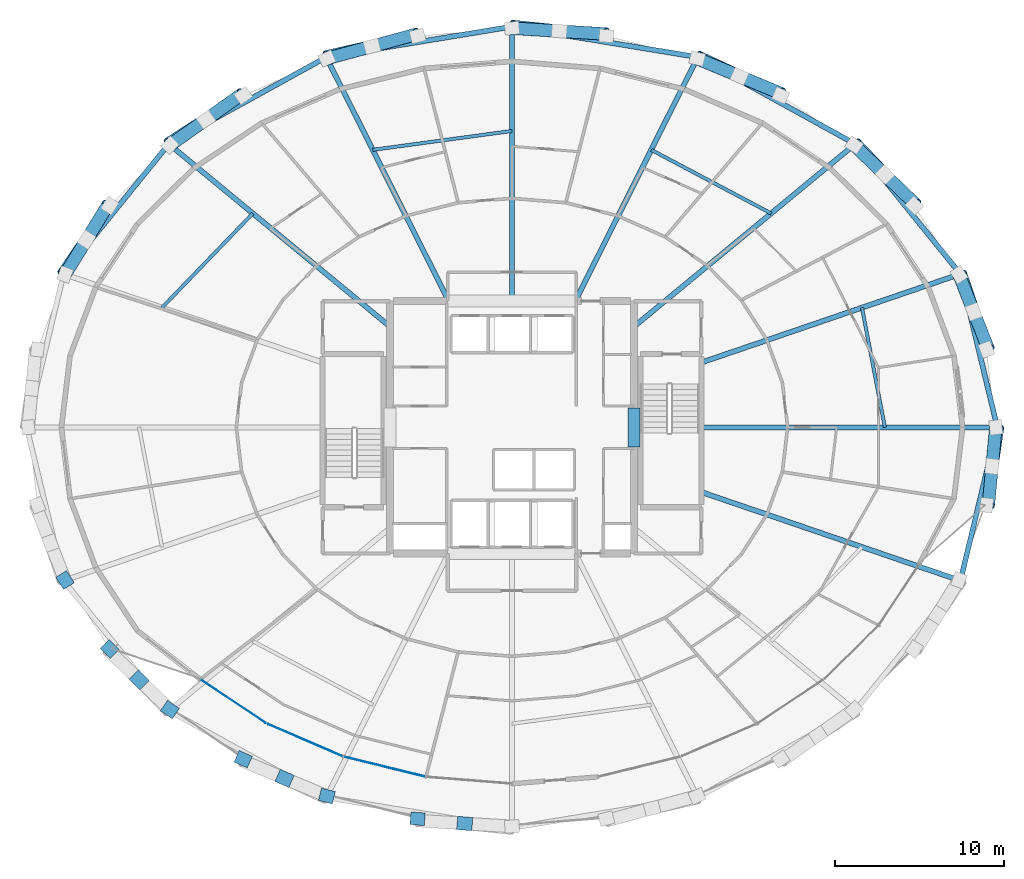
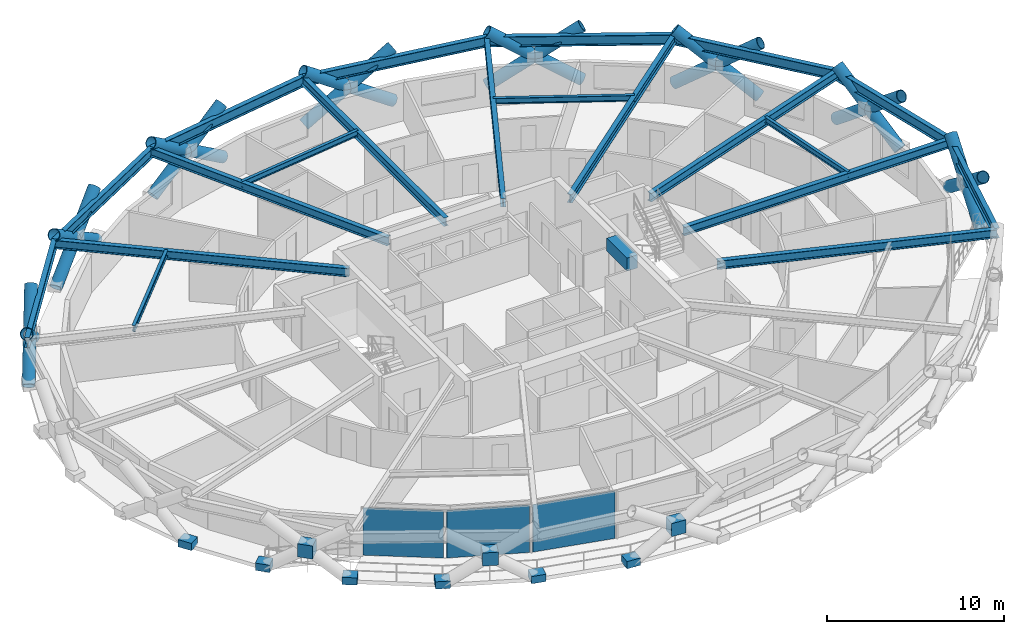
# One storey, part 9 of 17: 24 members, 21 beams, 12 plates, 1 element without a shape of its own.
"""IFC4 building model written with IfcOpenShell, lengths in metres."""

from ifc_helpers import new_model, si_unit, direction, frame, origin, origin_2d, place, context, subcontext, project, spatial, rectangle, hollow_circle, i_section, extrude, material, layer, layer_set, material_profile, profile_set, type_object, element, aggregate, save


model = new_model("IFC4")

# Units and contexts
model_context = context("Model", 3, precision=1e-05, world=origin(), true_north=direction((0.0, 1.0)))
body_context = subcontext(model_context, "Body", "Model", "MODEL_VIEW")
ifc_project = project(units=[si_unit("LENGTHUNIT", "METRE"), si_unit("AREAUNIT", "SQUARE_METRE"), si_unit("VOLUMEUNIT", "CUBIC_METRE"), si_unit("PLANEANGLEUNIT", "RADIAN"), si_unit("MASSUNIT", "GRAM", prefix="KILO")], contexts=[model_context])

# Site, building, storey
site_placement = place(None, origin())
site = spatial("IfcSite", under=ifc_project, at=site_placement, CompositionType="ELEMENT")
building_placement = place(site_placement, origin())
building = spatial("IfcBuilding", under=site, at=building_placement, Name="Veldorina Hangang Commons", CompositionType="ELEMENT")
storey_placement = place(building_placement, frame((0.0, 0.0, 55.60009765625)))
storey = spatial("IfcBuildingStorey", under=building, at=storey_placement, Name="L13", CompositionType="ELEMENT", Elevation=55.60009765625)

# Beams
ifc_material_1 = material(Name="Concrete C70/85", Category="concrete")
ifc_material_profile_1 = material_profile(ifc_material_1, rectangle(XDim=0.699951171875, YDim=0.89990234375, at=origin_2d()), Name="RC-CB-700x900")
ifc_profile_set_1 = profile_set([ifc_material_profile_1], Name="Concrete C70/85")
beam_type_1 = type_object("IfcBeamType", Name="BM-CB900", PredefinedType="LINTEL", material=ifc_profile_set_1)
beam_1_placement = place(storey_placement, frame((39.199951171875, 22.85009765625, 2.889892578125), z_axis=(0.0, 1.0, 0.0), x_axis=(-1.0, 0.0, 0.0)))
element("IfcBeam", 1, at=beam_1_placement, inside=storey, type_object=beam_type_1, Name="L13 E core coupling lintel beam", PredefinedType="LINTEL", context=body_context, shape_type="SweptSolid", body=[
    extrude(rectangle(XDim=0.699951171875, YDim=0.89990234375, at=origin_2d()), origin(), (0.0, 0.0, 1.0), 2.2998046875),
])
ifc_material_2 = material(Name="Steel SM460-TMC", Category="steel")
ifc_material_profile_2 = material_profile(ifc_material_2, i_section(OverallWidth=0.300048828125, OverallDepth=0.587890625, WebThickness=0.011962890625, FlangeThickness=0.02001953125, FilletRadius=0.01806640625, at=origin_2d()), Name="H-588x300x12x20")
ifc_profile_set_2 = profile_set([ifc_material_profile_2], Name="Steel SM460-TMC")
beam_type_2 = type_object("IfcBeamType", Name="BM-FG588", PredefinedType="BEAM", material=ifc_profile_set_2)
beam_2_placement = place(storey_placement, frame((43.179931640625, 24.0, 3.0458984375), z_axis=(1.0, 0.0, 0.0), x_axis=(0.0, 1.0, 0.0)))
element("IfcBeam", 2, at=beam_2_placement, inside=storey, type_object=beam_type_2, Name="L13 radial floor girder 01", PredefinedType="BEAM", context=body_context, shape_type="SweptSolid", body=[
    extrude(i_section(OverallWidth=0.300048828125, OverallDepth=0.587890625, WebThickness=0.011962890625, FlangeThickness=0.02001953125, FilletRadius=0.01806640625, at=origin_2d()), origin(), (0.0, 0.0, 1.0), 17.473876953125),
])
beam_3_placement = place(storey_placement, frame((43.179931640625, 27.82275390625, 3.0458984375), z_axis=(0.946210846962, 0.323550665417, 0.0), x_axis=(-0.323550665417, 0.946210846962, 0.0)))
element("IfcBeam", 3, at=beam_3_placement, inside=storey, type_object=beam_type_2, Name="L13 radial floor girder 02", PredefinedType="BEAM", context=body_context, shape_type="SweptSolid", body=[
    extrude(i_section(OverallWidth=0.300048828125, OverallDepth=0.587890625, WebThickness=0.011962890625, FlangeThickness=0.02001953125, FilletRadius=0.01806640625, at=origin_2d()), origin(), (0.0, 0.0, 1.0), 16.162109375),
])
beam_4_placement = place(storey_placement, frame((39.199951171875, 29.943603515625, 3.0458984375), z_axis=(0.771186965795, 0.636608721105, 0.0), x_axis=(-0.636608721105, 0.771186965795, 0.0)))
element("IfcBeam", 4, at=beam_4_placement, inside=storey, type_object=beam_type_2, Name="L13 radial floor girder 03", PredefinedType="BEAM", context=body_context, shape_type="SweptSolid", body=[
    extrude(i_section(OverallWidth=0.300048828125, OverallDepth=0.587890625, WebThickness=0.011962890625, FlangeThickness=0.02001953125, FilletRadius=0.01806640625, at=origin_2d()), origin(), (0.0, 0.0, 1.0), 16.9365234375),
])
beam_5_placement = place(storey_placement, frame((35.73828125, 31.449951171875, 3.0458984375), z_axis=(0.448473640797, 0.89379605812, 0.0), x_axis=(-0.89379605812, 0.448473640797, 0.0)))
element("IfcBeam", 5, at=beam_5_placement, inside=storey, type_object=beam_type_2, Name="L13 radial floor girder 04", PredefinedType="BEAM", context=body_context, shape_type="SweptSolid", body=[
    extrude(i_section(OverallWidth=0.300048828125, OverallDepth=0.587890625, WebThickness=0.011962890625, FlangeThickness=0.02001953125, FilletRadius=0.01806640625, at=origin_2d()), origin(), (0.0, 0.0, 1.0), 16.11474609375),
])
beam_6_placement = place(storey_placement, frame((32.0, 31.449951171875, 3.0458984375), z_axis=(0.0, 1.0, 0.0), x_axis=(-1.0, 0.0, 0.0)))
element("IfcBeam", 6, at=beam_6_placement, inside=storey, type_object=beam_type_2, Name="L13 radial floor girder 05", PredefinedType="BEAM", context=body_context, shape_type="SweptSolid", body=[
    extrude(i_section(OverallWidth=0.300048828125, OverallDepth=0.587890625, WebThickness=0.011962890625, FlangeThickness=0.02001953125, FilletRadius=0.01806640625, at=origin_2d()), origin(), (0.0, 0.0, 1.0), 16.203857421875),
])
beam_7_placement = place(storey_placement, frame((28.26171875, 31.449951171875, 3.0458984375), z_axis=(-0.448473640797, 0.89379605812, 0.0), x_axis=(-0.89379605812, -0.448473640797, 0.0)))
element("IfcBeam", 7, at=beam_7_placement, inside=storey, type_object=beam_type_2, Name="L13 radial floor girder 06", PredefinedType="BEAM", context=body_context, shape_type="SweptSolid", body=[
    extrude(i_section(OverallWidth=0.300048828125, OverallDepth=0.587890625, WebThickness=0.011962890625, FlangeThickness=0.02001953125, FilletRadius=0.01806640625, at=origin_2d()), origin(), (0.0, 0.0, 1.0), 16.11474609375),
])
beam_8_placement = place(storey_placement, frame((24.800048828125, 29.943603515625, 3.0458984375), z_axis=(-0.771186965795, 0.636608721105, 0.0), x_axis=(-0.636608721105, -0.771186965795, 0.0)))
element("IfcBeam", 8, at=beam_8_placement, inside=storey, type_object=beam_type_2, Name="L13 radial floor girder 07", PredefinedType="BEAM", context=body_context, shape_type="SweptSolid", body=[
    extrude(i_section(OverallWidth=0.300048828125, OverallDepth=0.587890625, WebThickness=0.011962890625, FlangeThickness=0.02001953125, FilletRadius=0.01806640625, at=origin_2d()), origin(), (0.0, 0.0, 1.0), 16.9365234375),
])
beam_9_placement = place(storey_placement, frame((43.179931640625, 20.17724609375, 3.0458984375), z_axis=(0.946210846962, -0.323550665417, 0.0), x_axis=(0.323550665417, 0.946210846962, 0.0)))
element("IfcBeam", 9, at=beam_9_placement, inside=storey, type_object=beam_type_2, Name="L13 radial floor girder 16", PredefinedType="BEAM", context=body_context, shape_type="SweptSolid", body=[
    extrude(i_section(OverallWidth=0.300048828125, OverallDepth=0.587890625, WebThickness=0.011962890625, FlangeThickness=0.02001953125, FilletRadius=0.01806640625, at=origin_2d()), origin(), (0.0, 0.0, 1.0), 16.162109375),
])
ifc_material_3 = material(Name="Steel SM355-TMC", Category="steel")
ifc_material_profile_3 = material_profile(ifc_material_3, i_section(OverallWidth=0.199951171875, OverallDepth=0.39990234375, WebThickness=0.008056640625, FlangeThickness=0.012939453125, FilletRadius=0.012939453125, at=origin_2d()), Name="H-400x200x8x13")
ifc_profile_set_3 = profile_set([ifc_material_profile_3], Name="Steel SM355-TMC")
beam_type_3 = type_object("IfcBeamType", Name="BM-JST400", PredefinedType="JOIST", material=ifc_profile_set_3)
beam_10_placement = place(storey_placement, frame((54.013671875, 24.0, 3.139892578125), z_axis=(-0.188002608484, 0.982168528921, 0.0), x_axis=(-0.982168528921, -0.188002608484, 0.0)))
element("IfcBeam", 10, at=beam_10_placement, inside=storey, type_object=beam_type_3, Name="L13 secondary floor joist 01", PredefinedType="JOIST", context=body_context, shape_type="SweptSolid", body=[
    extrude(i_section(OverallWidth=0.199951171875, OverallDepth=0.39990234375, WebThickness=0.008056640625, FlangeThickness=0.012939453125, FilletRadius=0.012939453125, at=origin_2d()), origin(), (0.0, 0.0, 1.0), 7.19287109375),
])
beam_11_placement = place(storey_placement, frame((47.298095703125, 36.62841796875, 3.139892578125), z_axis=(-0.883596603536, 0.468248910537, 0.0), x_axis=(-0.468248910537, -0.883596603536, 0.0)))
element("IfcBeam", 11, at=beam_11_placement, inside=storey, type_object=beam_type_3, Name="L13 secondary floor joist 03", PredefinedType="JOIST", context=body_context, shape_type="SweptSolid", body=[
    extrude(i_section(OverallWidth=0.199951171875, OverallDepth=0.39990234375, WebThickness=0.008056640625, FlangeThickness=0.012939453125, FilletRadius=0.012939453125, at=origin_2d()), origin(), (0.0, 0.0, 1.0), 8.01171875),
])
beam_12_placement = place(storey_placement, frame((32.0, 41.496337890625, 3.139892578125), z_axis=(-0.990899710988, -0.134602239072, 0.0), x_axis=(0.134602239072, -0.990899710988, 0.0)))
element("IfcBeam", 12, at=beam_12_placement, inside=storey, type_object=beam_type_3, Name="L13 secondary floor joist 05", PredefinedType="JOIST", context=body_context, shape_type="SweptSolid", body=[
    extrude(i_section(OverallWidth=0.199951171875, OverallDepth=0.39990234375, WebThickness=0.008056640625, FlangeThickness=0.012939453125, FilletRadius=0.012939453125, at=origin_2d()), origin(), (0.0, 0.0, 1.0), 8.29443359375),
])
beam_13_placement = place(storey_placement, frame((16.701904296875, 36.62841796875, 3.139892578125), z_axis=(-0.694019215063, -0.719956477243, 0.0), x_axis=(0.719956477243, -0.694019215063, 0.0)))
element("IfcBeam", 13, at=beam_13_placement, inside=storey, type_object=beam_type_3, Name="L13 secondary floor joist 07", PredefinedType="JOIST", context=body_context, shape_type="SweptSolid", body=[
    extrude(i_section(OverallWidth=0.199951171875, OverallDepth=0.39990234375, WebThickness=0.008056640625, FlangeThickness=0.012939453125, FilletRadius=0.012939453125, at=origin_2d()), origin(), (0.0, 0.0, 1.0), 7.727783203125),
])
ifc_material_profile_4 = material_profile(ifc_material_2, i_section(OverallWidth=0.300048828125, OverallDepth=0.699951171875, WebThickness=0.012939453125, FlangeThickness=0.02392578125, FilletRadius=0.02197265625, at=origin_2d()), Name="H-700x300x13x24")
ifc_profile_set_4 = profile_set([ifc_material_profile_4], Name="Steel SM460-TMC")
beam_type_4 = type_object("IfcBeamType", Name="BM-RB700", PredefinedType="BEAM", material=ifc_profile_set_4)
beam_14_placement = place(storey_placement, frame((60.65380859375, 24.0, 2.989990234375), z_axis=(-0.234253483016, 0.97217555292, 0.0), x_axis=(-0.97217555292, -0.234253483016, 0.0)))
element("IfcBeam", 14, at=beam_14_placement, inside=storey, type_object=beam_type_4, Name="L13 perimeter hoop ring beam 00", PredefinedType="BEAM", context=body_context, shape_type="SweptSolid", body=[
    extrude(i_section(OverallWidth=0.300048828125, OverallDepth=0.699951171875, WebThickness=0.012939453125, FlangeThickness=0.02392578125, FilletRadius=0.02197265625, at=origin_2d()), origin(), (0.0, 0.0, 1.0), 9.31103515625),
])
beam_15_placement = place(storey_placement, frame((58.47265625, 33.052001953125, 2.989990234375), z_axis=(-0.629166215376, 0.777270785138, 0.0), x_axis=(-0.777270785138, -0.629166215376, 0.0)))
element("IfcBeam", 15, at=beam_15_placement, inside=storey, type_object=beam_type_4, Name="L13 perimeter hoop ring beam 02", PredefinedType="BEAM", context=body_context, shape_type="SweptSolid", body=[
    extrude(i_section(OverallWidth=0.300048828125, OverallDepth=0.699951171875, WebThickness=0.012939453125, FlangeThickness=0.02392578125, FilletRadius=0.02197265625, at=origin_2d()), origin(), (0.0, 0.0, 1.0), 9.87255859375),
])
beam_16_placement = place(storey_placement, frame((52.26123046875, 40.7255859375, 2.989990234375), z_axis=(-0.875620948621, 0.482998917531, 0.0), x_axis=(-0.482998917531, -0.875620948621, 0.0)))
element("IfcBeam", 16, at=beam_16_placement, inside=storey, type_object=beam_type_4, Name="L13 perimeter hoop ring beam 04", PredefinedType="BEAM", context=body_context, shape_type="SweptSolid", body=[
    extrude(i_section(OverallWidth=0.300048828125, OverallDepth=0.699951171875, WebThickness=0.012939453125, FlangeThickness=0.02392578125, FilletRadius=0.02197265625, at=origin_2d()), origin(), (0.0, 0.0, 1.0), 10.616455078125),
])
for number, where, z_axis, x_axis, name in (
    (17, (42.96533203125, 45.853271484375, 2.989990234375), (-0.986785369313, 0.162032820472, 0.0), (-0.162032820472, -0.986785369313, 0.0), "L13 perimeter hoop ring beam 06"),
    (18, (32.0, 47.65380859375, 2.989990234375), (-0.986785369313, -0.162032820472, 0.0), (0.162032820472, -0.986785369313, 0.0), "L13 perimeter hoop ring beam 08"),
):
    element("IfcBeam", number, at=place(storey_placement, frame(where, z_axis=z_axis, x_axis=x_axis)), inside=storey, type_object=beam_type_4, Name=name, PredefinedType="BEAM", context=body_context, shape_type="SweptSolid", body=[
        extrude(i_section(OverallWidth=0.300048828125, OverallDepth=0.699951171875, WebThickness=0.012939453125, FlangeThickness=0.02392578125, FilletRadius=0.02197265625, at=origin_2d()), origin(), (0.0, 0.0, 1.0), 11.112060546875),
    ])
beam_17_placement = place(storey_placement, frame((21.03466796875, 45.853271484375, 2.989990234375), z_axis=(-0.875620948621, -0.482998917531, 0.0), x_axis=(0.482998917531, -0.875620948621, 0.0)))
element("IfcBeam", 19, at=beam_17_placement, inside=storey, type_object=beam_type_4, Name="L13 perimeter hoop ring beam 10", PredefinedType="BEAM", context=body_context, shape_type="SweptSolid", body=[
    extrude(i_section(OverallWidth=0.300048828125, OverallDepth=0.699951171875, WebThickness=0.012939453125, FlangeThickness=0.02392578125, FilletRadius=0.02197265625, at=origin_2d()), origin(), (0.0, 0.0, 1.0), 10.616455078125),
])
beam_18_placement = place(storey_placement, frame((11.73876953125, 40.7255859375, 2.989990234375), z_axis=(-0.629166215376, -0.777270785138, 0.0), x_axis=(0.777270785138, -0.629166215376, 0.0)))
element("IfcBeam", 20, at=beam_18_placement, inside=storey, type_object=beam_type_4, Name="L13 perimeter hoop ring beam 12", PredefinedType="BEAM", context=body_context, shape_type="SweptSolid", body=[
    extrude(i_section(OverallWidth=0.300048828125, OverallDepth=0.699951171875, WebThickness=0.012939453125, FlangeThickness=0.02392578125, FilletRadius=0.02197265625, at=origin_2d()), origin(), (0.0, 0.0, 1.0), 9.87255859375),
])
beam_19_placement = place(storey_placement, frame((58.47265625, 14.947998046875, 2.989990234375), z_axis=(0.234253483016, 0.97217555292, 0.0), x_axis=(-0.97217555292, 0.234253483016, 0.0)))
element("IfcBeam", 21, at=beam_19_placement, inside=storey, type_object=beam_type_4, Name="L13 perimeter hoop ring beam 30", PredefinedType="BEAM", context=body_context, shape_type="SweptSolid", body=[
    extrude(i_section(OverallWidth=0.300048828125, OverallDepth=0.699951171875, WebThickness=0.012939453125, FlangeThickness=0.02392578125, FilletRadius=0.02197265625, at=origin_2d()), origin(), (0.0, 0.0, 1.0), 9.31103515625),
])

# Members
ifc_material_profile_5 = material_profile(ifc_material_2, hollow_circle(Radius=0.375, WallThickness=0.035888671875, at=origin_2d()), Name="CHS-750x36")
ifc_profile_set_5 = profile_set([ifc_material_profile_5], Name="Steel SM460-TMC")
member_type = type_object("IfcMemberType", Name="DG-CHS750", PredefinedType="BRACE", material=ifc_profile_set_5)
member_1_placement = place(storey_placement, frame((60.011962890625, 28.596435546875, 0.0), z_axis=(-0.256562844861, 0.75227979487, 0.606836565203), x_axis=(-0.946470286353, -0.322790949457, 0.0)))
element("IfcMember", 22, at=member_1_placement, inside=storey, type_object=member_type, Name="L13 continuous perimeter diagrid brace 01", PredefinedType="BRACE", context=body_context, shape_type="SweptSolid", body=[
    extrude(hollow_circle(Radius=0.375, WallThickness=0.035888671875, at=origin_2d()), origin(), (0.0, 0.0, 1.0), 5.93212890625),
])
member_2_placement = place(storey_placement, frame((58.38671875, 33.016357421875, 0.0), z_axis=(0.292129211773, -0.740082632364, 0.605754257849), x_axis=(0.930158942506, 0.36715710762, 0.0)))
element("IfcMember", 23, at=member_2_placement, inside=storey, type_object=member_type, Name="L13 split perimeter diagrid lower brace 02", PredefinedType="BRACE", context=body_context, shape_type="SweptSolid", body=[
    extrude(hollow_circle(Radius=0.375, WallThickness=0.035888671875, at=origin_2d()), origin(), (0.0, 0.0, 1.0), 2.96435546875),
])
member_3_placement = place(storey_placement, frame((59.252685546875, 30.822509765625, 1.795654296875), z_axis=(0.291851829271, -0.740123122094, 0.605838488289), x_axis=(0.930284817763, 0.366838053969, 0.0)))
element("IfcMember", 24, at=member_3_placement, inside=storey, type_object=member_type, Name="L13 split perimeter diagrid upper brace 02", PredefinedType="BRACE", context=body_context, shape_type="SweptSolid", body=[
    extrude(hollow_circle(Radius=0.375, WallThickness=0.035888671875, at=origin_2d()), origin(), (0.0, 0.0, 1.0), 2.97802734375),
])
member_4_placement = place(storey_placement, frame((55.747314453125, 37.089599609375, 0.0), z_axis=(-0.560861346159, 0.58940912559, 0.581404706771), x_axis=(-0.724432910302, -0.689345311489, 0.0)))
element("IfcMember", 25, at=member_4_placement, inside=storey, type_object=member_type, Name="L13 continuous perimeter diagrid brace 03", PredefinedType="BRACE", context=body_context, shape_type="SweptSolid", body=[
    extrude(hollow_circle(Radius=0.375, WallThickness=0.035888671875, at=origin_2d()), origin(), (0.0, 0.0, 1.0), 6.191650390625),
])
member_5_placement = place(storey_placement, frame((52.195556640625, 40.659912109375, 0.0), z_axis=(0.587309731401, -0.564769395494, 0.579743744524), x_axis=(0.693139644193, 0.72080332522, 0.0)))
element("IfcMember", 26, at=member_5_placement, inside=storey, type_object=member_type, Name="L13 split perimeter diagrid lower brace 04", PredefinedType="BRACE", context=body_context, shape_type="SweptSolid", body=[
    extrude(hollow_circle(Radius=0.375, WallThickness=0.035888671875, at=origin_2d()), origin(), (0.0, 0.0, 1.0), 3.09765625),
])
member_6_placement = place(storey_placement, frame((54.014892578125, 38.910400390625, 1.7958984375), z_axis=(0.586801334087, -0.565221985749, 0.579817472261), x_axis=(0.693739775548, 0.720225745043, 0.0)))
element("IfcMember", 27, at=member_6_placement, inside=storey, type_object=member_type, Name="L13 split perimeter diagrid upper brace 04", PredefinedType="BRACE", context=body_context, shape_type="SweptSolid", body=[
    extrude(hollow_circle(Radius=0.375, WallThickness=0.035888671875, at=origin_2d()), origin(), (0.0, 0.0, 1.0), 3.111328125),
])
member_7_placement = place(storey_placement, frame((47.867431640625, 43.590087890625, 0.0), z_axis=(-0.754216719352, 0.351395998577, 0.554687292476), x_axis=(-0.422321064018, -0.906446313295, 0.0)))
element("IfcMember", 28, at=member_7_placement, inside=storey, type_object=member_type, Name="L13 continuous perimeter diagrid brace 05", PredefinedType="BRACE", context=body_context, shape_type="SweptSolid", body=[
    extrude(hollow_circle(Radius=0.375, WallThickness=0.035888671875, at=origin_2d()), origin(), (0.0, 0.0, 1.0), 6.489990234375),
])
member_8_placement = place(storey_placement, frame((42.9296875, 45.76708984375, 0.0), z_axis=(0.768860260775, -0.320151577131, 0.553495137343), x_axis=(0.38440373611, 0.92316508148, 0.0)))
element("IfcMember", 29, at=member_8_placement, inside=storey, type_object=member_type, Name="L13 split perimeter diagrid lower brace 06", PredefinedType="BRACE", context=body_context, shape_type="SweptSolid", body=[
    extrude(hollow_circle(Radius=0.375, WallThickness=0.035888671875, at=origin_2d()), origin(), (0.0, 0.0, 1.0), 3.24560546875),
])
member_9_placement = place(storey_placement, frame((45.425048828125, 44.72802734375, 1.79638671875), z_axis=(0.768656907012, -0.320679555708, 0.553471934116), x_axis=(0.385030547592, 0.922903828912, 0.0)))
element("IfcMember", 30, at=member_9_placement, inside=storey, type_object=member_type, Name="L13 split perimeter diagrid upper brace 06", PredefinedType="BRACE", context=body_context, shape_type="SweptSolid", body=[
    extrude(hollow_circle(Radius=0.375, WallThickness=0.035888671875, at=origin_2d()), origin(), (0.0, 0.0, 1.0), 3.258544921875),
])
member_10_placement = place(storey_placement, frame((37.572021484375, 47.10791015625, 0.0), z_axis=(-0.836926225296, 0.084818400697, 0.540703553082), x_axis=(-0.100828659736, -0.994903805087, 0.0)))
element("IfcMember", 31, at=member_10_placement, inside=storey, type_object=member_type, Name="L13 continuous perimeter diagrid brace 07", PredefinedType="BRACE", context=body_context, shape_type="SweptSolid", body=[
    extrude(hollow_circle(Radius=0.375, WallThickness=0.035888671875, at=origin_2d()), origin(), (0.0, 0.0, 1.0), 6.65771484375),
])
member_11_placement = place(storey_placement, frame((32.0, 47.560791015625, 0.0), z_axis=(0.839812896424, -0.0514141182, 0.54043583102), x_axis=(0.061106513523, 0.998131250891, 0.0)))
element("IfcMember", 32, at=member_11_placement, inside=storey, type_object=member_type, Name="L13 split perimeter diagrid lower brace 08", PredefinedType="BRACE", context=body_context, shape_type="SweptSolid", body=[
    extrude(hollow_circle(Radius=0.375, WallThickness=0.035888671875, at=origin_2d()), origin(), (0.0, 0.0, 1.0), 3.323974609375),
])
member_12_placement = place(storey_placement, frame((34.79150390625, 47.389892578125, 1.79638671875), z_axis=(0.839782846496, -0.051581016447, 0.540466621978), x_axis=(0.061306315918, 0.998118998731, 0.0)))
element("IfcMember", 33, at=member_12_placement, inside=storey, type_object=member_type, Name="L13 split perimeter diagrid upper brace 08", PredefinedType="BRACE", context=body_context, shape_type="SweptSolid", body=[
    extrude(hollow_circle(Radius=0.375, WallThickness=0.035888671875, at=origin_2d()), origin(), (0.0, 0.0, 1.0), 3.3369140625),
])
member_13_placement = place(storey_placement, frame((26.427978515625, 47.10791015625, 0.0), z_axis=(-0.817371020117, -0.187262616064, 0.544827796737), x_axis=(0.22331771853, -0.97474570868, 0.0)))
element("IfcMember", 34, at=member_13_placement, inside=storey, type_object=member_type, Name="L13 continuous perimeter diagrid brace 09", PredefinedType="BRACE", context=body_context, shape_type="SweptSolid", body=[
    extrude(hollow_circle(Radius=0.375, WallThickness=0.035888671875, at=origin_2d()), origin(), (0.0, 0.0, 1.0), 6.607421875),
])
member_14_placement = place(storey_placement, frame((21.0703125, 45.76708984375, 0.0), z_axis=(0.808742442437, 0.219703296685, 0.545587869391), x_axis=(-0.262158996013, 0.965024694404, 0.0)))
element("IfcMember", 35, at=member_14_placement, inside=storey, type_object=member_type, Name="L13 split perimeter diagrid lower brace 10", PredefinedType="BRACE", context=body_context, shape_type="SweptSolid", body=[
    extrude(hollow_circle(Radius=0.375, WallThickness=0.035888671875, at=origin_2d()), origin(), (0.0, 0.0, 1.0), 3.29248046875),
])
member_15_placement = place(storey_placement, frame((23.733154296875, 46.490478515625, 1.79638671875), z_axis=(0.808660447522, 0.220020045042, 0.545581763252), x_axis=(-0.262535707865, 0.964922277749, 0.0)))
element("IfcMember", 36, at=member_15_placement, inside=storey, type_object=member_type, Name="L13 split perimeter diagrid upper brace 10", PredefinedType="BRACE", context=body_context, shape_type="SweptSolid", body=[
    extrude(hollow_circle(Radius=0.375, WallThickness=0.035888671875, at=origin_2d()), origin(), (0.0, 0.0, 1.0), 3.3056640625),
])
member_16_placement = place(storey_placement, frame((16.132568359375, 43.590087890625, 0.0), z_axis=(-0.692432972152, -0.447941072944, 0.565584100065), x_axis=(0.54316256274, -0.839627554597, 0.0)))
element("IfcMember", 37, at=member_16_placement, inside=storey, type_object=member_type, Name="L13 continuous perimeter diagrid brace 11", PredefinedType="BRACE", context=body_context, shape_type="SweptSolid", body=[
    extrude(hollow_circle(Radius=0.375, WallThickness=0.035888671875, at=origin_2d()), origin(), (0.0, 0.0, 1.0), 6.36474609375),
])
member_17_placement = place(storey_placement, frame((11.804443359375, 40.659912109375, 0.0), z_axis=(0.672216016359, 0.475969946223, 0.567078687347), x_axis=(-0.577869330947, 0.816129301245, 0.0)))
element("IfcMember", 38, at=member_17_placement, inside=storey, type_object=member_type, Name="L13 split perimeter diagrid lower brace 12", PredefinedType="BRACE", context=body_context, shape_type="SweptSolid", body=[
    extrude(hollow_circle(Radius=0.375, WallThickness=0.035888671875, at=origin_2d()), origin(), (0.0, 0.0, 1.0), 3.16748046875),
])
member_18_placement = place(storey_placement, frame((13.93359375, 42.16748046875, 1.796142578125), z_axis=(0.671802595967, 0.476525424561, 0.567102099977), x_axis=(-0.578555053194, 0.815643335302, 0.0)))
element("IfcMember", 39, at=member_18_placement, inside=storey, type_object=member_type, Name="L13 split perimeter diagrid upper brace 12", PredefinedType="BRACE", context=body_context, shape_type="SweptSolid", body=[
    extrude(hollow_circle(Radius=0.375, WallThickness=0.035888671875, at=origin_2d()), origin(), (0.0, 0.0, 1.0), 3.1806640625),
])
member_19_placement = place(storey_placement, frame((8.252685546875, 37.089599609375, 0.0), z_axis=(-0.452570201558, -0.665077573217, 0.594013496704), x_axis=(0.826742965384, -0.562579833613, 0.0)))
element("IfcMember", 40, at=member_19_placement, inside=storey, type_object=member_type, Name="L13 continuous perimeter diagrid brace 13", PredefinedType="BRACE", context=body_context, shape_type="SweptSolid", body=[
    extrude(hollow_circle(Radius=0.375, WallThickness=0.035888671875, at=origin_2d()), origin(), (0.0, 0.0, 1.0), 6.060302734375),
])
member_20_placement = place(storey_placement, frame((5.61328125, 33.016357421875, 0.0), z_axis=(0.42145643442, 0.683915474065, 0.595511627275), x_axis=(-0.851332910102, 0.524625843986, 0.0)))
element("IfcMember", 41, at=member_20_placement, inside=storey, type_object=member_type, Name="L13 split perimeter diagrid lower brace 14", PredefinedType="BRACE", context=body_context, shape_type="SweptSolid", body=[
    extrude(hollow_circle(Radius=0.375, WallThickness=0.035888671875, at=origin_2d()), origin(), (0.0, 0.0, 1.0), 3.015625),
])
member_21_placement = place(storey_placement, frame((6.88427734375, 35.078857421875, 1.7958984375), z_axis=(0.420916688497, 0.68428175417, 0.595472604118), x_axis=(-0.851758183769, 0.523935107034, 0.0)))
element("IfcMember", 42, at=member_21_placement, inside=storey, type_object=member_type, Name="L13 split perimeter diagrid upper brace 14", PredefinedType="BRACE", context=body_context, shape_type="SweptSolid", body=[
    extrude(hollow_circle(Radius=0.375, WallThickness=0.035888671875, at=origin_2d()), origin(), (0.0, 0.0, 1.0), 3.029541015625),
])
member_22_placement = place(storey_placement, frame((60.011962890625, 19.403564453125, 0.0), z_axis=(0.112438746114, 0.782292783845, 0.612678976884), x_axis=(-0.989828209441, 0.142267760915, 0.0)))
element("IfcMember", 43, at=member_22_placement, inside=storey, type_object=member_type, Name="L13 continuous perimeter diagrid brace 31", PredefinedType="BRACE", context=body_context, shape_type="SweptSolid", body=[
    extrude(hollow_circle(Radius=0.375, WallThickness=0.035888671875, at=origin_2d()), origin(), (0.0, 0.0, 1.0), 5.87548828125),
])
member_23_placement = place(storey_placement, frame((60.560791015625, 24.0, 0.0), z_axis=(-0.074848791985, -0.786495769677, 0.613043279565), x_axis=(0.995502108383, -0.094739390984, 0.0)))
element("IfcMember", 44, at=member_23_placement, inside=storey, type_object=member_type, Name="L13 split perimeter diagrid lower brace 00", PredefinedType="BRACE", context=body_context, shape_type="SweptSolid", body=[
    extrude(hollow_circle(Radius=0.375, WallThickness=0.035888671875, at=origin_2d()), origin(), (0.0, 0.0, 1.0), 2.92919921875),
])
member_24_placement = place(storey_placement, frame((60.341552734375, 21.6962890625, 1.795654296875), z_axis=(-0.074660788937, -0.786509933239, 0.613048033608), x_axis=(0.995524684194, -0.094501868555, 0.0)))
element("IfcMember", 45, at=member_24_placement, inside=storey, type_object=member_type, Name="L13 split perimeter diagrid upper brace 00", PredefinedType="BRACE", context=body_context, shape_type="SweptSolid", body=[
    extrude(hollow_circle(Radius=0.375, WallThickness=0.035888671875, at=origin_2d()), origin(), (0.0, 0.0, 1.0), 2.943115234375),
])

# Curtain wall, plates
ifc_material_4 = material(Name="Glass Low-E Triple IGU", Category="glass")
ifc_layer_1 = layer(ifc_material_4, 0.179931640625)
ifc_layer_set_1 = layer_set([ifc_layer_1], Name="Glass Low-E Triple IGU")
curtain_wall_type = type_object("IfcCurtainWallType", Name="CW-SYS-Z1", PredefinedType="NOTDEFINED", material=ifc_layer_set_1)
curtain_wall_placement = place(storey_placement, origin())
curtain_wall = element("IfcCurtainWall", 46, at=curtain_wall_placement, inside=storey, type_object=curtain_wall_type, Name="L13 unitised curtain wall CW-L13-R1", PredefinedType="NOTDEFINED")
ifc_layer_2 = layer(ifc_material_4, 0.0400390625)
ifc_layer_set_2 = layer_set([ifc_layer_2], Name="Glass Low-E Triple IGU")
plate_type_1 = type_object("IfcPlateType", Name="CW-PNL-VIS", PredefinedType="CURTAIN_PANEL", material=ifc_layer_set_2)
plate_1_placement = place(storey_placement, frame((15.5595703125, 7.813720703125, 0.014892578125), z_axis=(0.0, 0.0, 1.0), x_axis=(0.833423139847, -0.552635386098, 0.0)))
plate_1 = element("IfcPlate", 47, at=plate_1_placement, type_object=plate_type_1, Name="CW-L13-R1 facet 1 glazed vision panel", PredefinedType="CURTAIN_PANEL", context=body_context, shape_type="SweptSolid", body=[
    extrude(rectangle(XDim=4.554931640625, YDim=0.0400390625, at=origin_2d()), origin(), (0.0, 0.0, 1.0), 3.27001953125),
])
plate_2_placement = place(storey_placement, frame((19.78369140625, 5.533203125, 0.014892578125), z_axis=(0.0, 0.0, 1.0), x_axis=(0.918038583757, -0.396491057571, 0.0)))
plate_2 = element("IfcPlate", 48, at=plate_2_placement, type_object=plate_type_1, Name="CW-L13-R1 facet 2 glazed vision panel", PredefinedType="CURTAIN_PANEL", context=body_context, shape_type="SweptSolid", body=[
    extrude(rectangle(XDim=4.72412109375, YDim=0.0400390625, at=origin_2d()), origin(), (0.0, 0.0, 1.0), 3.27001953125),
])
plate_3_placement = place(storey_placement, frame((24.477294921875, 3.96240234375, 0.014892578125), z_axis=(0.0, 0.0, 1.0), x_axis=(0.97125073338, -0.238058843376, 0.0)))
plate_3 = element("IfcPlate", 49, at=plate_3_placement, type_object=plate_type_1, Name="CW-L13-R1 facet 3 glazed vision panel", PredefinedType="CURTAIN_PANEL", context=body_context, shape_type="SweptSolid", body=[
    extrude(rectangle(XDim=4.849609375, YDim=0.0400390625, at=origin_2d()), origin(), (0.0, 0.0, 1.0), 3.27001953125),
])
aggregate(curtain_wall, [plate_1, plate_2, plate_3])

# Plates
ifc_layer_3 = layer(ifc_material_2, 0.035888671875)
ifc_layer_set_3 = layer_set([ifc_layer_3], Name="Steel SM460-TMC")
plate_type_2 = type_object("IfcPlateType", Name="PL-STAR-36", PredefinedType="USERDEFINED", material=ifc_layer_set_3)
for number, where, z_axis, x_axis, name in (
    (50, (5.61328125, 14.983642578125, -0.090087890625), (0.0, 0.0, 1.0), (0.543760482779, -0.839240452652, 0.0), "L13 diagrid star-node gusset plate 18"),
    (51, (8.252685546875, 10.910400390625, -0.090087890625), (0.0, 0.0, 1.0), (0.705277905649, -0.708930938669, 0.0), "L13 diagrid star-node gusset plate 19"),
):
    element("IfcPlate", number, at=place(storey_placement, frame(where, z_axis=z_axis, x_axis=x_axis)), inside=storey, type_object=plate_type_2, Name=name, ObjectType="GUSSET PLATE", PredefinedType="USERDEFINED", context=body_context, shape_type="SweptSolid", body=[
        extrude(rectangle(XDim=0.85009765625, YDim=0.75, at=origin_2d()), origin(), (0.0, 0.0, 1.0), 0.5),
    ])
plate_4_placement = place(storey_placement, frame((9.985107421875, 9.089599609375, 1.345947265625), z_axis=(0.0, 0.0, 1.0), x_axis=(0.705277905649, -0.708930938669, 0.0)))
element("IfcPlate", 52, at=plate_4_placement, inside=storey, type_object=plate_type_2, Name="L13 diagrid X-crossing star-node gusset plate 19", ObjectType="GUSSET PLATE", PredefinedType="USERDEFINED", context=body_context, shape_type="SweptSolid", body=[
    extrude(rectangle(XDim=0.89990234375, YDim=0.780029296875, at=origin_2d()), origin(), (0.0, 0.0, 1.0), 0.89990234375),
])
for number, where, z_axis, x_axis, name in (
    (53, (11.804443359375, 7.340087890625, -0.090087890625), (0.0, 0.0, 1.0), (0.828079904111, -0.560610089463, 0.0), "L13 diagrid star-node gusset plate 20"),
    (54, (16.132568359375, 4.409912109375, -0.090087890625), (0.0, 0.0, 1.0), (0.915001921998, -0.403449479788, 0.0), "L13 diagrid star-node gusset plate 21"),
):
    element("IfcPlate", number, at=place(storey_placement, frame(where, z_axis=z_axis, x_axis=x_axis)), inside=storey, type_object=plate_type_2, Name=name, ObjectType="GUSSET PLATE", PredefinedType="USERDEFINED", context=body_context, shape_type="SweptSolid", body=[
        extrude(rectangle(XDim=0.85009765625, YDim=0.75, at=origin_2d()), origin(), (0.0, 0.0, 1.0), 0.5),
    ])
plate_5_placement = place(storey_placement, frame((18.574951171875, 3.27197265625, 1.346435546875), z_axis=(0.0, 0.0, 1.0), x_axis=(0.915001921998, -0.403449479788, 0.0)))
element("IfcPlate", 55, at=plate_5_placement, inside=storey, type_object=plate_type_2, Name="L13 diagrid X-crossing star-node gusset plate 21", ObjectType="GUSSET PLATE", PredefinedType="USERDEFINED", context=body_context, shape_type="SweptSolid", body=[
    extrude(rectangle(XDim=0.89990234375, YDim=0.780029296875, at=origin_2d()), origin(), (0.0, 0.0, 1.0), 0.89990234375),
])
for number, where, z_axis, x_axis, name in (
    (56, (21.0703125, 2.23291015625, -0.090087890625), (0.0, 0.0, 1.0), (0.970084240161, -0.242768546132, 0.0), "L13 diagrid star-node gusset plate 22"),
    (57, (26.427978515625, 0.89208984375, -0.090087890625), (0.0, 0.0, 1.0), (0.996715582943, -0.080981767813, 0.0), "L13 diagrid star-node gusset plate 23"),
):
    element("IfcPlate", number, at=place(storey_placement, frame(where, z_axis=z_axis, x_axis=x_axis)), inside=storey, type_object=plate_type_2, Name=name, ObjectType="GUSSET PLATE", PredefinedType="USERDEFINED", context=body_context, shape_type="SweptSolid", body=[
        extrude(rectangle(XDim=0.85009765625, YDim=0.75, at=origin_2d()), origin(), (0.0, 0.0, 1.0), 0.5),
    ])
plate_6_placement = place(storey_placement, frame((29.20849609375, 0.610107421875, 1.346435546875), z_axis=(0.0, 0.0, 1.0), x_axis=(0.996715582943, -0.080981767813, 0.0)))
element("IfcPlate", 58, at=plate_6_placement, inside=storey, type_object=plate_type_2, Name="L13 diagrid X-crossing star-node gusset plate 23", ObjectType="GUSSET PLATE", PredefinedType="USERDEFINED", context=body_context, shape_type="SweptSolid", body=[
    extrude(rectangle(XDim=0.89990234375, YDim=0.780029296875, at=origin_2d()), origin(), (0.0, 0.0, 1.0), 0.89990234375),
])

save(model, "model.ifc")
